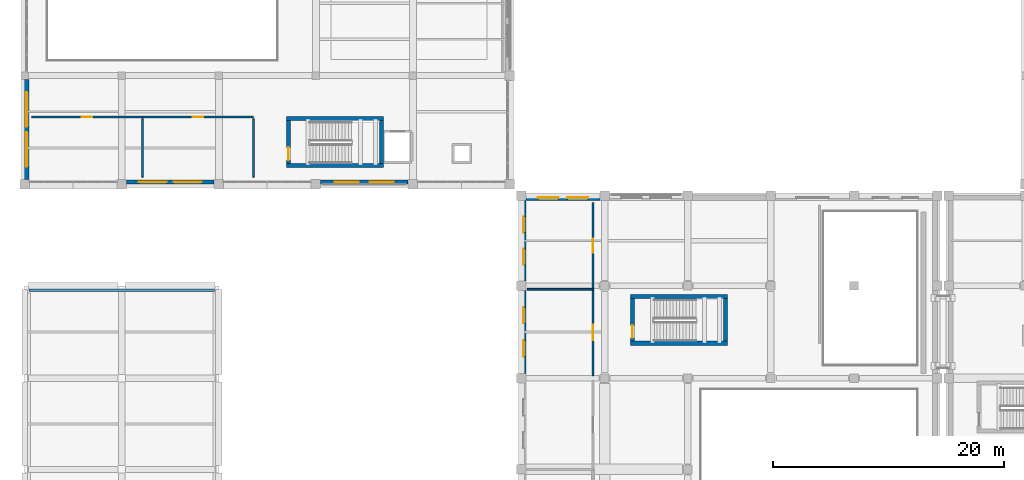
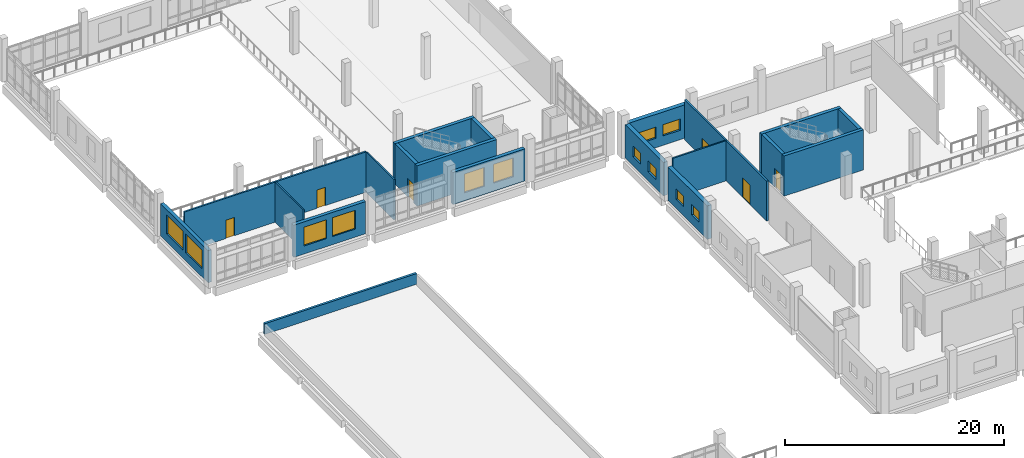
# One storey, part 53 of 73: 22 walls, 12 windows, 6 doors, 18 openings.
"""IFC4 building model written with IfcOpenShell, lengths in metres."""

from ifc_helpers import new_model, si_unit, direction, frame, frame_2d, origin, place, context, subcontext, project, spatial, rectangle, extrude, material, layer, layer_set, type_object, element, fill, save


model = new_model("IFC4")

# Units and contexts
model_context = context("Model", 3, precision=1e-05, world=origin(), true_north=direction((0.0, 1.0)))
body_context = subcontext(model_context, "Body", "Model", "MODEL_VIEW")
ifc_project = project(units=[si_unit("LENGTHUNIT", "METRE"), si_unit("AREAUNIT", "SQUARE_METRE"), si_unit("VOLUMEUNIT", "CUBIC_METRE"), si_unit("PLANEANGLEUNIT", "RADIAN"), si_unit("MASSUNIT", "GRAM", prefix="KILO")], contexts=[model_context])

# Site, building, storey
site_placement = place(None, origin())
site = spatial("IfcSite", under=ifc_project, at=site_placement, CompositionType="ELEMENT")
building_placement = place(site_placement, origin())
building = spatial("IfcBuilding", under=site, at=building_placement, Name="Kelarvand Opera House", CompositionType="ELEMENT")
storey_placement = place(building_placement, frame((0.0, 0.0, 10.199951171875)))
storey = spatial("IfcBuildingStorey", under=building, at=storey_placement, Name="L02", CompositionType="ELEMENT", Elevation=10.199951171875)

# Walls
ifc_material_1 = material(Name="Acoustic double-stud gypsum partition")
ifc_layer_1 = layer(ifc_material_1, 0.14990234375, Name="Acoustic double-stud gypsum partition")
ifc_layer_set_1 = layer_set([ifc_layer_1], Name="Acoustic double-stud gypsum partition")
wall_type_1 = type_object("IfcWallType", Name="Acoustic Room Partition Wall 150", PredefinedType="PARTITIONING", material=ifc_layer_set_1)
wall_1_placement = place(storey_placement, frame((52.5, 78.10009765625, 0.0), z_axis=(0.0, 0.0, 1.0), x_axis=(1.0, 0.0, 0.0)))
element("IfcWall", 1, at=wall_1_placement, inside=storey, type_object=wall_type_1, Name="V2 L02 Partition Wall IW-150 (496)", PredefinedType="PARTITIONING", context=body_context, shape_type="SweptSolid", body=[
    extrude(rectangle(XDim=5.699951171875, YDim=0.14990234375, at=frame_2d((2.85009765625, 0.0))), origin(), (0.0, 0.0, 1.0), 4.47216796875),
])
for number, where, z_axis, x_axis, name in (
    (2, (19.199951171875, 87.800048828125, 0.0), (0.0, 0.0, 1.0), (0.0, 1.0, 0.0), "V3 L02 Partition Wall IW-150 (501)"),
    (3, (28.800048828125, 87.800048828125, 0.0), (0.0, 0.0, 1.0), (0.0, 1.0, 0.0), "V3 L02 Partition Wall IW-150 (502)"),
):
    element("IfcWall", number, at=place(storey_placement, frame(where, z_axis=z_axis, x_axis=x_axis)), inside=storey, type_object=wall_type_1, Name=name, PredefinedType="PARTITIONING", context=body_context, shape_type="SweptSolid", body=[
        extrude(rectangle(XDim=5.06005859375, YDim=0.14990234375, at=frame_2d((2.530029296875, 0.0))), origin(), (0.0, 0.0, 1.0), 4.491943359375),
    ])

# Wall, openings, windows
ifc_material_2 = material(Name="Concrete C35/45", Category="concrete")
ifc_layer_2 = layer(ifc_material_2, 0.360107421875, Name="Concrete C35/45", Category="concrete")
ifc_layer_set_2 = layer_set([ifc_layer_2], Name="Concrete C35/45")
wall_type_2 = type_object("IfcWallType", Name="Azarshahr Travertine Cavity Wall 360", PredefinedType="SOLIDWALL", material=ifc_layer_set_2)
wall_2_placement = place(storey_placement, frame((9.179931640625, 87.610107421875, 0.0), z_axis=(0.0, 0.0, 1.0), x_axis=(0.0, 1.0, 0.0)))
wall_2 = element("IfcWall", 4, at=wall_2_placement, inside=storey, type_object=wall_type_2, Name="V3 L02 Exterior Wall EW-360 (418)", PredefinedType="SOLIDWALL", context=body_context, shape_type="SweptSolid", body=[
    extrude(rectangle(XDim=8.664794921875, YDim=0.360107421875, at=frame_2d((4.33251953125, 0.0))), origin(), (0.0, 0.0, 1.0), 3.592041015625),
])
opening_1_placement = place(wall_2_placement, frame((1.10009765625, 0.0, 0.89990234375)))
opening_1 = element("IfcOpeningElement", 5, at=opening_1_placement, cuts=wall_2, Name="Opening WN-09", PredefinedType="OPENING", context=body_context, shape_type="SweptSolid", body=[
    extrude(rectangle(XDim=3.0, YDim=2.10009765625, at=frame_2d((1.5, 1.050048828125))), frame((0.0, 0.18994140625, 0.0), z_axis=(0.0, -1.0, 0.0), x_axis=(1.0, 0.0, 0.0)), (0.0, 0.0, 1.0), 0.380126953125),
])
opening_2_placement = place(wall_2_placement, frame((4.56591796875, 0.0, 0.89990234375)))
opening_2 = element("IfcOpeningElement", 6, at=opening_2_placement, cuts=wall_2, Name="Opening WN-09", PredefinedType="OPENING", context=body_context, shape_type="SweptSolid", body=[
    extrude(rectangle(XDim=3.0, YDim=2.10009765625, at=frame_2d((1.5, 1.050048828125))), frame((0.0, 0.18994140625, 0.0), z_axis=(0.0, -1.0, 0.0), x_axis=(1.0, 0.0, 0.0)), (0.0, 0.0, 1.0), 0.380126953125),
])
ifc_material_3 = material(Name="Thermally broken aluminium and low-E double glazing", Category="aluminium")
window_type_1 = type_object("IfcWindowType", Name="Recessed Aluminium Thermal Window 3000x2100 WN-09", PartitioningType="SINGLE_PANEL", PredefinedType="WINDOW", material=ifc_material_3)
window_1_placement = place(opening_1_placement, origin())
window_1 = element("IfcWindow", 7, at=window_1_placement, inside=storey, type_object=window_type_1, Name="V3 L02 Facade Window WN-09 (180)", OverallHeight=2.10009765625, OverallWidth=3.0, PartitioningType="SINGLE_PANEL", PredefinedType="WINDOW", context=body_context, shape_type="SweptSolid", body=[
    extrude(rectangle(XDim=3.0, YDim=2.10009765625, at=frame_2d((1.5, 1.050048828125))), frame((0.0, 0.030029296875, 0.0), z_axis=(0.0, -1.0, 0.0), x_axis=(1.0, 0.0, 0.0)), (0.0, 0.0, 1.0), 0.06005859375),
])
fill(opening_1, window_1)
window_2_placement = place(opening_2_placement, origin())
window_2 = element("IfcWindow", 8, at=window_2_placement, inside=storey, type_object=window_type_1, Name="V3 L02 Facade Window WN-09 (181)", OverallHeight=2.10009765625, OverallWidth=3.0, PartitioningType="SINGLE_PANEL", PredefinedType="WINDOW", context=body_context, shape_type="SweptSolid", body=[
    extrude(rectangle(XDim=3.0, YDim=2.10009765625, at=frame_2d((1.5, 1.050048828125))), frame((0.0, 0.030029296875, 0.0), z_axis=(0.0, -1.0, 0.0), x_axis=(1.0, 0.0, 0.0)), (0.0, 0.0, 1.0), 0.06005859375),
])
fill(opening_2, window_2)

wall_3_placement = place(storey_placement, frame((42.18994140625, 87.3798828125, 0.0), z_axis=(0.0, 0.0, 1.0), x_axis=(-1.0, 0.0, 0.0)))
wall_3 = element("IfcWall", 9, at=wall_3_placement, inside=storey, type_object=wall_type_2, Name="V3 L02 Exterior Wall EW-360 (420)", PredefinedType="SOLIDWALL", context=body_context, shape_type="SweptSolid", body=[
    extrude(rectangle(XDim=7.579833984375, YDim=0.360107421875, at=frame_2d((3.7900390625, 0.0))), origin(), (0.0, 0.0, 1.0), 3.592041015625),
])
opening_3_placement = place(wall_3_placement, frame((1.22412109375, 0.0, 0.89990234375)))
opening_3 = element("IfcOpeningElement", 10, at=opening_3_placement, cuts=wall_3, Name="Opening WN-06", PredefinedType="OPENING", context=body_context, shape_type="SweptSolid", body=[
    extrude(rectangle(XDim=2.10009765625, YDim=2.10009765625, at=frame_2d((1.050048828125, 1.050048828125))), frame((0.0, 0.18994140625, 0.0), z_axis=(0.0, -1.0, 0.0), x_axis=(1.0, 0.0, 0.0)), (0.0, 0.0, 1.0), 0.380126953125),
])
opening_4_placement = place(wall_3_placement, frame((4.256103515625, 0.0, 0.89990234375)))
opening_4 = element("IfcOpeningElement", 11, at=opening_4_placement, cuts=wall_3, Name="Opening WN-06", PredefinedType="OPENING", context=body_context, shape_type="SweptSolid", body=[
    extrude(rectangle(XDim=2.10009765625, YDim=2.10009765625, at=frame_2d((1.050048828125, 1.050048828125))), frame((0.0, 0.18994140625, 0.0), z_axis=(0.0, -1.0, 0.0), x_axis=(1.0, 0.0, 0.0)), (0.0, 0.0, 1.0), 0.380126953125),
])
window_type_2 = type_object("IfcWindowType", Name="Recessed Aluminium Thermal Window 2100x2100 WN-06", PartitioningType="SINGLE_PANEL", PredefinedType="WINDOW", material=ifc_material_3)
window_3_placement = place(opening_3_placement, origin())
window_3 = element("IfcWindow", 12, at=window_3_placement, inside=storey, type_object=window_type_2, Name="V3 L02 Facade Window WN-06 (184)", OverallHeight=2.10009765625, OverallWidth=2.10009765625, PartitioningType="SINGLE_PANEL", PredefinedType="WINDOW", context=body_context, shape_type="SweptSolid", body=[
    extrude(rectangle(XDim=2.10009765625, YDim=2.10009765625, at=frame_2d((1.050048828125, 1.050048828125))), frame((0.0, 0.030029296875, 0.0), z_axis=(0.0, -1.0, 0.0), x_axis=(1.0, 0.0, 0.0)), (0.0, 0.0, 1.0), 0.06005859375),
])
fill(opening_3, window_3)
window_4_placement = place(opening_4_placement, origin())
window_4 = element("IfcWindow", 13, at=window_4_placement, inside=storey, type_object=window_type_2, Name="V3 L02 Facade Window WN-06 (185)", OverallHeight=2.10009765625, OverallWidth=2.10009765625, PartitioningType="SINGLE_PANEL", PredefinedType="WINDOW", context=body_context, shape_type="SweptSolid", body=[
    extrude(rectangle(XDim=2.10009765625, YDim=2.10009765625, at=frame_2d((1.050048828125, 1.050048828125))), frame((0.0, 0.030029296875, 0.0), z_axis=(0.0, -1.0, 0.0), x_axis=(1.0, 0.0, 0.0)), (0.0, 0.0, 1.0), 0.06005859375),
])
fill(opening_4, window_4)

wall_4_placement = place(storey_placement, frame((25.389892578125, 87.3798828125, 0.0), z_axis=(0.0, 0.0, 1.0), x_axis=(-1.0, 0.0, 0.0)))
wall_4 = element("IfcWall", 14, at=wall_4_placement, inside=storey, type_object=wall_type_2, Name="V3 L02 Exterior Wall EW-360 (421)", PredefinedType="SOLIDWALL", context=body_context, shape_type="SweptSolid", body=[
    extrude(rectangle(XDim=7.579833984375, YDim=0.360107421875, at=frame_2d((3.7900390625, 0.0))), origin(), (0.0, 0.0, 1.0), 3.592041015625),
])
opening_5_placement = place(wall_4_placement, frame((1.073974609375, 0.0, 0.89990234375)))
opening_5 = element("IfcOpeningElement", 15, at=opening_5_placement, cuts=wall_4, Name="Opening WN-07", PredefinedType="OPENING", context=body_context, shape_type="SweptSolid", body=[
    extrude(rectangle(XDim=2.39990234375, YDim=2.10009765625, at=frame_2d((1.199951171875, 1.050048828125))), frame((0.0, 0.18994140625, 0.0), z_axis=(0.0, -1.0, 0.0), x_axis=(1.0, 0.0, 0.0)), (0.0, 0.0, 1.0), 0.380126953125),
])
opening_6_placement = place(wall_4_placement, frame((4.10595703125, 0.0, 0.89990234375)))
opening_6 = element("IfcOpeningElement", 16, at=opening_6_placement, cuts=wall_4, Name="Opening WN-07", PredefinedType="OPENING", context=body_context, shape_type="SweptSolid", body=[
    extrude(rectangle(XDim=2.39990234375, YDim=2.10009765625, at=frame_2d((1.199951171875, 1.050048828125))), frame((0.0, 0.18994140625, 0.0), z_axis=(0.0, -1.0, 0.0), x_axis=(1.0, 0.0, 0.0)), (0.0, 0.0, 1.0), 0.380126953125),
])
window_type_3 = type_object("IfcWindowType", Name="Recessed Aluminium Thermal Window 2400x2100 WN-07", PartitioningType="SINGLE_PANEL", PredefinedType="WINDOW", material=ifc_material_3)
window_5_placement = place(opening_5_placement, origin())
window_5 = element("IfcWindow", 17, at=window_5_placement, inside=storey, type_object=window_type_3, Name="V3 L02 Facade Window WN-07 (186)", OverallHeight=2.10009765625, OverallWidth=2.39990234375, PartitioningType="SINGLE_PANEL", PredefinedType="WINDOW", context=body_context, shape_type="SweptSolid", body=[
    extrude(rectangle(XDim=2.39990234375, YDim=2.10009765625, at=frame_2d((1.199951171875, 1.050048828125))), frame((0.0, 0.030029296875, 0.0), z_axis=(0.0, -1.0, 0.0), x_axis=(1.0, 0.0, 0.0)), (0.0, 0.0, 1.0), 0.06005859375),
])
fill(opening_5, window_5)
window_6_placement = place(opening_6_placement, origin())
window_6 = element("IfcWindow", 18, at=window_6_placement, inside=storey, type_object=window_type_3, Name="V3 L02 Facade Window WN-07 (187)", OverallHeight=2.10009765625, OverallWidth=2.39990234375, PartitioningType="SINGLE_PANEL", PredefinedType="WINDOW", context=body_context, shape_type="SweptSolid", body=[
    extrude(rectangle(XDim=2.39990234375, YDim=2.10009765625, at=frame_2d((1.199951171875, 1.050048828125))), frame((0.0, 0.030029296875, 0.0), z_axis=(0.0, -1.0, 0.0), x_axis=(1.0, 0.0, 0.0)), (0.0, 0.0, 1.0), 0.06005859375),
])
fill(opening_6, window_6)

# Walls
ifc_layer_3 = layer(ifc_material_2, 0.239990234375, Name="Concrete C35/45", Category="concrete")
ifc_layer_set_3 = layer_set([ifc_layer_3], Name="Concrete C35/45")
wall_type_3 = type_object("IfcWallType", Name="Capped Travertine Roof Parapet 240", PredefinedType="PARAPET", material=ifc_layer_set_3)
wall_5_placement = place(storey_placement, frame((25.419921875, 78.02001953125, 0.0), z_axis=(0.0, 0.0, 1.0), x_axis=(-1.0, 0.0, 0.0)))
element("IfcWall", 19, at=wall_5_placement, inside=storey, type_object=wall_type_3, Name="V4 Roof Parapet 26", PredefinedType="PARAPET", context=body_context, shape_type="SweptSolid", body=[
    extrude(rectangle(XDim=16.0400390625, YDim=0.239990234375, at=frame_2d((8.02001953125, 0.0))), origin(), (0.0, 0.0, 1.0), 1.199951171875),
])
ifc_material_4 = material(Name="Concrete C40/50", Category="concrete")
ifc_layer_4 = layer(ifc_material_4, 0.35009765625, Name="Concrete C40/50", Category="concrete")
ifc_layer_set_4 = layer_set([ifc_layer_4], Name="Concrete C40/50")
wall_type_4 = type_object("IfcWallType", Name="Core Stair and Lift Shear Wall 350", PredefinedType="SHEAR", material=ifc_layer_set_4)
for number, where, z_axis, x_axis, name in (
    (20, (61.449951171875, 73.425048828125, 0.0), (0.0, 0.0, 1.0), (1.0, 0.0, 0.0), "C3 Stair Core Shear Wall S L02"),
    (21, (69.85009765625, 77.47509765625, 0.0), (0.0, 0.0, 1.0), (-1.0, 0.0, 0.0), "C3 Stair Core Shear Wall N L02"),
):
    element("IfcWall", number, at=place(storey_placement, frame(where, z_axis=z_axis, x_axis=x_axis)), inside=storey, type_object=wall_type_4, Name=name, PredefinedType="SHEAR", context=body_context, shape_type="SweptSolid", body=[
        extrude(rectangle(XDim=8.400146484375, YDim=0.35009765625, at=frame_2d((4.2001953125, 0.0))), origin(), (0.0, 0.0, 1.0), 4.47998046875),
    ])

# Wall, opening, door
wall_6_placement = place(storey_placement, frame((61.625, 73.60009765625, 0.0), z_axis=(0.0, 0.0, 1.0), x_axis=(0.0, 1.0, 0.0)))
wall_6 = element("IfcWall", 22, at=wall_6_placement, inside=storey, type_object=wall_type_4, Name="C3 Stair Core Shear Wall W L02", PredefinedType="SHEAR", context=body_context, shape_type="SweptSolid", body=[
    extrude(rectangle(XDim=3.699951171875, YDim=0.35009765625, at=frame_2d((1.85009765625, 0.0))), origin(), (0.0, 0.0, 1.0), 4.47998046875),
])
opening_7_placement = place(wall_6_placement, frame((0.280029296875, 0.0, 0.0)))
opening_7 = element("IfcOpeningElement", 23, at=opening_7_placement, cuts=wall_6, Name="Opening FD-01", PredefinedType="OPENING", context=body_context, shape_type="SweptSolid", body=[
    extrude(rectangle(XDim=1.10009765625, YDim=2.080078125, at=frame_2d((0.550048828125, 1.0400390625))), frame((0.0, 0.18505859375, 0.0), z_axis=(0.0, -1.0, 0.0), x_axis=(1.0, 0.0, 0.0)), (0.0, 0.0, 1.0), 0.3701171875),
])
ifc_material_5 = material(Name="Fire-rated brushed stainless steel", Category="steel")
door_type_1 = type_object("IfcDoorType", Name="Steel Fire-Rated Stair and FF Lobby Door 1100x2080", OperationType="NOTDEFINED", PredefinedType="DOOR", material=ifc_material_5)
door_1_placement = place(opening_7_placement, origin())
door_1 = element("IfcDoor", 24, at=door_1_placement, inside=storey, type_object=door_type_1, Name="C3 Stair ST-03 Fire Door L02", OperationType="SINGLE_SWING_RIGHT", OverallHeight=2.080078125, OverallWidth=1.10009765625, PredefinedType="DOOR", context=body_context, shape_type="SweptSolid", body=[
    extrude(rectangle(XDim=1.10009765625, YDim=2.080078125, at=frame_2d((0.550048828125, 1.0400390625))), frame((0.0, 0.02490234375, 0.0), z_axis=(0.0, -1.0, 0.0), x_axis=(1.0, 0.0, 0.0)), (0.0, 0.0, 1.0), 0.050048828125),
])
fill(opening_7, door_1)

# Walls
wall_7_placement = place(storey_placement, frame((69.675048828125, 77.300048828125, 0.0), z_axis=(0.0, 0.0, 1.0), x_axis=(0.0, -1.0, 0.0)))
element("IfcWall", 25, at=wall_7_placement, inside=storey, type_object=wall_type_4, Name="C3 Stair Core Shear Wall E L02", PredefinedType="SHEAR", context=body_context, shape_type="SweptSolid", body=[
    extrude(rectangle(XDim=3.699951171875, YDim=0.35009765625, at=frame_2d((1.85009765625, 0.0))), origin(), (0.0, 0.0, 1.0), 4.47998046875),
])
for number, where, z_axis, x_axis, name in (
    (26, (31.64990234375, 88.824951171875, 0.0), (0.0, 0.0, 1.0), (1.0, 0.0, 0.0), "C5 Stair Core Shear Wall S L02"),
    (27, (40.050048828125, 92.875, 0.0), (0.0, 0.0, 1.0), (-1.0, 0.0, 0.0), "C5 Stair Core Shear Wall N L02"),
):
    element("IfcWall", number, at=place(storey_placement, frame(where, z_axis=z_axis, x_axis=x_axis)), inside=storey, type_object=wall_type_4, Name=name, PredefinedType="SHEAR", context=body_context, shape_type="SweptSolid", body=[
        extrude(rectangle(XDim=8.400146484375, YDim=0.35009765625, at=frame_2d((4.2001953125, 0.0))), origin(), (0.0, 0.0, 1.0), 4.5),
    ])

# Wall, opening, door
wall_8_placement = place(storey_placement, frame((31.824951171875, 89.0, 0.0), z_axis=(0.0, 0.0, 1.0), x_axis=(0.0, 1.0, 0.0)))
wall_8 = element("IfcWall", 28, at=wall_8_placement, inside=storey, type_object=wall_type_4, Name="C5 Stair Core Shear Wall W L02", PredefinedType="SHEAR", context=body_context, shape_type="SweptSolid", body=[
    extrude(rectangle(XDim=3.699951171875, YDim=0.35009765625, at=frame_2d((1.85009765625, 0.0))), origin(), (0.0, 0.0, 1.0), 4.5),
])
opening_8_placement = place(wall_8_placement, frame((0.280029296875, 0.0, 0.0)))
opening_8 = element("IfcOpeningElement", 29, at=opening_8_placement, cuts=wall_8, Name="Opening FD-01", PredefinedType="OPENING", context=body_context, shape_type="SweptSolid", body=[
    extrude(rectangle(XDim=1.10009765625, YDim=2.080078125, at=frame_2d((0.550048828125, 1.0400390625))), frame((0.0, 0.18505859375, 0.0), z_axis=(0.0, -1.0, 0.0), x_axis=(1.0, 0.0, 0.0)), (0.0, 0.0, 1.0), 0.3701171875),
])
door_2_placement = place(opening_8_placement, origin())
door_2 = element("IfcDoor", 30, at=door_2_placement, inside=storey, type_object=door_type_1, Name="C5 Stair ST-05 Fire Door L02", OperationType="SINGLE_SWING_RIGHT", OverallHeight=2.080078125, OverallWidth=1.10009765625, PredefinedType="DOOR", context=body_context, shape_type="SweptSolid", body=[
    extrude(rectangle(XDim=1.10009765625, YDim=2.080078125, at=frame_2d((0.550048828125, 1.0400390625))), frame((0.0, 0.02490234375, 0.0), z_axis=(0.0, -1.0, 0.0), x_axis=(1.0, 0.0, 0.0)), (0.0, 0.0, 1.0), 0.050048828125),
])
fill(opening_8, door_2)

# Wall
wall_9_placement = place(storey_placement, frame((39.875, 92.699951171875, 0.0), z_axis=(0.0, 0.0, 1.0), x_axis=(0.0, -1.0, 0.0)))
element("IfcWall", 31, at=wall_9_placement, inside=storey, type_object=wall_type_4, Name="C5 Stair Core Shear Wall E L02", PredefinedType="SHEAR", context=body_context, shape_type="SweptSolid", body=[
    extrude(rectangle(XDim=3.699951171875, YDim=0.35009765625, at=frame_2d((1.85009765625, 0.0))), origin(), (0.0, 0.0, 1.0), 4.5),
])

# Wall, opening, door
ifc_layer_5 = layer(ifc_material_2, 0.179931640625, Name="Concrete C35/45", Category="concrete")
ifc_layer_set_5 = layer_set([ifc_layer_5], Name="Concrete C35/45")
wall_type_5 = type_object("IfcWallType", Name="Corridor Fire-Rated Partition Wall 180 EI90", PredefinedType="PARTITIONING", material=ifc_layer_set_5)
wall_10_placement = place(storey_placement, frame((58.199951171875, 70.60009765625, 0.0), z_axis=(0.0, 0.0, 1.0), x_axis=(0.0, 1.0, 0.0)))
wall_10 = element("IfcWall", 32, at=wall_10_placement, inside=storey, type_object=wall_type_5, Name="V2 L02 Partition Wall IW-90 (495)", PredefinedType="PARTITIONING", context=body_context, shape_type="SweptSolid", body=[
    extrude(rectangle(XDim=7.5, YDim=0.179931640625, at=frame_2d((3.75, 0.0))), origin(), (0.0, 0.0, 1.0), 4.47216796875),
])
opening_9_placement = place(wall_10_placement, frame((3.074951171875, 0.0, 0.0)))
opening_9 = element("IfcOpeningElement", 33, at=opening_9_placement, cuts=wall_10, Name="Opening D-12", PredefinedType="OPENING", context=body_context, shape_type="SweptSolid", body=[
    extrude(rectangle(XDim=1.35009765625, YDim=2.159912109375, at=frame_2d((0.675048828125, 1.080078125))), frame((0.0, 0.10009765625, 0.0), z_axis=(0.0, -1.0, 0.0), x_axis=(1.0, 0.0, 0.0)), (0.0, 0.0, 1.0), 0.199951171875),
])
ifc_material_6 = material(Name="Acoustic walnut-veneered hardwood", Category="wood")
door_type_2 = type_object("IfcDoorType", Name="Wardrobe Studio Leaf-and-Half Door 1350x2160", OperationType="NOTDEFINED", PredefinedType="DOOR", material=ifc_material_6)
door_3_placement = place(opening_9_placement, origin())
door_3 = element("IfcDoor", 34, at=door_3_placement, inside=storey, type_object=door_type_2, Name="V2 L02 Door D-12 (219)", OperationType="SINGLE_SWING_RIGHT", OverallHeight=2.159912109375, OverallWidth=1.35009765625, PredefinedType="DOOR", context=body_context, shape_type="SweptSolid", body=[
    extrude(rectangle(XDim=1.35009765625, YDim=2.159912109375, at=frame_2d((0.675048828125, 1.080078125))), frame((0.0, 0.02490234375, 0.0), z_axis=(0.0, -1.0, 0.0), x_axis=(1.0, 0.0, 0.0)), (0.0, 0.0, 1.0), 0.050048828125),
])
fill(opening_9, door_3)

wall_11_placement = place(storey_placement, frame((58.199951171875, 78.10009765625, 0.0), z_axis=(0.0, 0.0, 1.0), x_axis=(0.0, 1.0, 0.0)))
wall_11 = element("IfcWall", 35, at=wall_11_placement, inside=storey, type_object=wall_type_5, Name="V2 L02 Partition Wall IW-90 (497)", PredefinedType="PARTITIONING", context=body_context, shape_type="SweptSolid", body=[
    extrude(rectangle(XDim=7.5, YDim=0.179931640625, at=frame_2d((3.75, 0.0))), origin(), (0.0, 0.0, 1.0), 4.47216796875),
])
opening_10_placement = place(wall_11_placement, frame((3.14990234375, 0.0, 0.0)))
opening_10 = element("IfcOpeningElement", 36, at=opening_10_placement, cuts=wall_11, Name="Opening D-06", PredefinedType="OPENING", context=body_context, shape_type="SweptSolid", body=[
    extrude(rectangle(XDim=1.199951171875, YDim=2.10009765625, at=frame_2d((0.60009765625, 1.050048828125))), frame((0.0, 0.10009765625, 0.0), z_axis=(0.0, -1.0, 0.0), x_axis=(1.0, 0.0, 0.0)), (0.0, 0.0, 1.0), 0.199951171875),
])
door_type_3 = type_object("IfcDoorType", Name="Accessible Suite Timber Door 1200x2100", OperationType="NOTDEFINED", PredefinedType="DOOR", material=ifc_material_6)
door_4_placement = place(opening_10_placement, origin())
door_4 = element("IfcDoor", 37, at=door_4_placement, inside=storey, type_object=door_type_3, Name="V2 L02 Door D-06 (220)", OperationType="SINGLE_SWING_LEFT", OverallHeight=2.10009765625, OverallWidth=1.199951171875, PredefinedType="DOOR", context=body_context, shape_type="SweptSolid", body=[
    extrude(rectangle(XDim=1.199951171875, YDim=2.10009765625, at=frame_2d((0.60009765625, 1.050048828125))), frame((0.0, 0.02490234375, 0.0), z_axis=(0.0, -1.0, 0.0), x_axis=(1.0, 0.0, 0.0)), (0.0, 0.0, 1.0), 0.050048828125),
])
fill(opening_10, door_4)

wall_12_placement = place(storey_placement, frame((9.60009765625, 93.0, 0.0), z_axis=(0.0, 0.0, 1.0), x_axis=(1.0, 0.0, 0.0)))
wall_12 = element("IfcWall", 38, at=wall_12_placement, inside=storey, type_object=wall_type_5, Name="V3 L02 Partition Wall IW-90 (500)", PredefinedType="PARTITIONING", context=body_context, shape_type="SweptSolid", body=[
    extrude(rectangle(XDim=9.599853515625, YDim=0.179931640625, at=frame_2d((4.7998046875, 0.0))), origin(), (0.0, 0.0, 1.0), 4.491943359375),
])
opening_11_placement = place(wall_12_placement, frame((4.340087890625, 0.0, 0.0)))
opening_11 = element("IfcOpeningElement", 39, at=opening_11_placement, cuts=wall_12, Name="Opening D-01", PredefinedType="OPENING", context=body_context, shape_type="SweptSolid", body=[
    extrude(rectangle(XDim=0.919921875, YDim=2.050048828125, at=frame_2d((0.4599609375, 1.02490234375))), frame((0.0, 0.10009765625, 0.0), z_axis=(0.0, -1.0, 0.0), x_axis=(1.0, 0.0, 0.0)), (0.0, 0.0, 1.0), 0.199951171875),
])
door_type_4 = type_object("IfcDoorType", Name="Solid Timber Dressing and WC Door 920x2050", OperationType="NOTDEFINED", PredefinedType="DOOR", material=ifc_material_6)
door_5_placement = place(opening_11_placement, origin())
door_5 = element("IfcDoor", 40, at=door_5_placement, inside=storey, type_object=door_type_4, Name="V3 L02 Door D-01 (222)", OperationType="SINGLE_SWING_RIGHT", OverallHeight=2.050048828125, OverallWidth=0.919921875, PredefinedType="DOOR", context=body_context, shape_type="SweptSolid", body=[
    extrude(rectangle(XDim=0.919921875, YDim=2.050048828125, at=frame_2d((0.4599609375, 1.02490234375))), frame((0.0, 0.02490234375, 0.0), z_axis=(0.0, -1.0, 0.0), x_axis=(1.0, 0.0, 0.0)), (0.0, 0.0, 1.0), 0.050048828125),
])
fill(opening_11, door_5)

wall_13_placement = place(storey_placement, frame((19.199951171875, 93.0, 0.0), z_axis=(0.0, 0.0, 1.0), x_axis=(1.0, 0.0, 0.0)))
wall_13 = element("IfcWall", 41, at=wall_13_placement, inside=storey, type_object=wall_type_5, Name="V3 L02 Partition Wall IW-90 (503)", PredefinedType="PARTITIONING", context=body_context, shape_type="SweptSolid", body=[
    extrude(rectangle(XDim=9.60009765625, YDim=0.179931640625, at=frame_2d((4.800048828125, 0.0))), origin(), (0.0, 0.0, 1.0), 4.491943359375),
])
opening_12_placement = place(wall_13_placement, frame((4.340087890625, 0.0, 0.0)))
opening_12 = element("IfcOpeningElement", 42, at=opening_12_placement, cuts=wall_13, Name="Opening D-01", PredefinedType="OPENING", context=body_context, shape_type="SweptSolid", body=[
    extrude(rectangle(XDim=0.919921875, YDim=2.050048828125, at=frame_2d((0.4599609375, 1.02490234375))), frame((0.0, 0.10009765625, 0.0), z_axis=(0.0, -1.0, 0.0), x_axis=(1.0, 0.0, 0.0)), (0.0, 0.0, 1.0), 0.199951171875),
])
door_6_placement = place(opening_12_placement, origin())
door_6 = element("IfcDoor", 43, at=door_6_placement, inside=storey, type_object=door_type_4, Name="V3 L02 Door D-01 (223)", OperationType="SINGLE_SWING_LEFT", OverallHeight=2.050048828125, OverallWidth=0.919921875, PredefinedType="DOOR", context=body_context, shape_type="SweptSolid", body=[
    extrude(rectangle(XDim=0.919921875, YDim=2.050048828125, at=frame_2d((0.4599609375, 1.02490234375))), frame((0.0, 0.02490234375, 0.0), z_axis=(0.0, -1.0, 0.0), x_axis=(1.0, 0.0, 0.0)), (0.0, 0.0, 1.0), 0.050048828125),
])
fill(opening_12, door_6)

# Wall, openings, windows
ifc_layer_6 = layer(ifc_material_2, 0.43994140625, Name="Concrete C35/45", Category="concrete")
ifc_layer_set_6 = layer_set([ifc_layer_6], Name="Concrete C35/45")
wall_type_6 = type_object("IfcWallType", Name="Stage House Acoustic Cavity Wall 440", PredefinedType="SOLIDWALL", material=ifc_layer_set_6)
wall_14_placement = place(storey_placement, frame((52.409912109375, 86.02001953125, 0.0), z_axis=(0.0, 0.0, 1.0), x_axis=(1.0, 0.0, 0.0)))
wall_14 = element("IfcWall", 44, at=wall_14_placement, inside=storey, type_object=wall_type_6, Name="V2 L02 Exterior Wall EW-440 (264)", PredefinedType="SOLIDWALL", context=body_context, shape_type="SweptSolid", body=[
    extrude(rectangle(XDim=6.380126953125, YDim=0.43994140625, at=frame_2d((3.18994140625, 0.0))), origin(), (0.0, 0.0, 1.0), 3.72216796875),
])
opening_13_placement = place(wall_14_placement, frame((1.013916015625, 0.0, 1.050048828125)))
opening_13 = element("IfcOpeningElement", 45, at=opening_13_placement, cuts=wall_14, Name="Opening WN-23", PredefinedType="OPENING", context=body_context, shape_type="SweptSolid", body=[
    extrude(rectangle(XDim=1.800048828125, YDim=1.25, at=frame_2d((0.89990234375, 0.625))), frame((0.0, 0.22998046875, 0.0), z_axis=(0.0, -1.0, 0.0), x_axis=(1.0, 0.0, 0.0)), (0.0, 0.0, 1.0), 0.4599609375),
])
opening_14_placement = place(wall_14_placement, frame((3.56591796875, 0.0, 1.050048828125)))
opening_14 = element("IfcOpeningElement", 46, at=opening_14_placement, cuts=wall_14, Name="Opening WN-23", PredefinedType="OPENING", context=body_context, shape_type="SweptSolid", body=[
    extrude(rectangle(XDim=1.800048828125, YDim=1.25, at=frame_2d((0.89990234375, 0.625))), frame((0.0, 0.22998046875, 0.0), z_axis=(0.0, -1.0, 0.0), x_axis=(1.0, 0.0, 0.0)), (0.0, 0.0, 1.0), 0.4599609375),
])
window_type_4 = type_object("IfcWindowType", Name="Recessed Aluminium Thermal Window 1800x1250 WN-23", PartitioningType="SINGLE_PANEL", PredefinedType="WINDOW", material=ifc_material_3)
window_7_placement = place(opening_13_placement, origin())
window_7 = element("IfcWindow", 47, at=window_7_placement, inside=storey, type_object=window_type_4, Name="V2 L02 Facade Window WN-23 (38)", OverallHeight=1.25, OverallWidth=1.800048828125, PartitioningType="SINGLE_PANEL", PredefinedType="WINDOW", context=body_context, shape_type="SweptSolid", body=[
    extrude(rectangle(XDim=1.800048828125, YDim=1.25, at=frame_2d((0.89990234375, 0.625))), frame((0.0, 0.030029296875, 0.0), z_axis=(0.0, -1.0, 0.0), x_axis=(1.0, 0.0, 0.0)), (0.0, 0.0, 1.0), 0.06005859375),
])
fill(opening_13, window_7)
window_8_placement = place(opening_14_placement, origin())
window_8 = element("IfcWindow", 48, at=window_8_placement, inside=storey, type_object=window_type_4, Name="V2 L02 Facade Window WN-23 (39)", OverallHeight=1.25, OverallWidth=1.800048828125, PartitioningType="SINGLE_PANEL", PredefinedType="WINDOW", context=body_context, shape_type="SweptSolid", body=[
    extrude(rectangle(XDim=1.800048828125, YDim=1.25, at=frame_2d((0.89990234375, 0.625))), frame((0.0, 0.030029296875, 0.0), z_axis=(0.0, -1.0, 0.0), x_axis=(1.0, 0.0, 0.0)), (0.0, 0.0, 1.0), 0.06005859375),
])
fill(opening_14, window_8)

wall_15_placement = place(storey_placement, frame((52.179931640625, 70.81005859375, 0.0), z_axis=(0.0, 0.0, 1.0), x_axis=(0.0, 1.0, 0.0)))
wall_15 = element("IfcWall", 49, at=wall_15_placement, inside=storey, type_object=wall_type_6, Name="V2 L02 Exterior Wall EW-440 (273)", PredefinedType="SOLIDWALL", context=body_context, shape_type="SweptSolid", body=[
    extrude(rectangle(XDim=7.179931640625, YDim=0.43994140625, at=frame_2d((3.58984375, 0.0))), origin(), (0.0, 0.0, 1.0), 3.72216796875),
])
opening_15_placement = place(wall_15_placement, frame((1.4541015625, 0.0, 1.0)))
opening_15 = element("IfcOpeningElement", 50, at=opening_15_placement, cuts=wall_15, Name="Opening WN-24", PredefinedType="OPENING", context=body_context, shape_type="SweptSolid", body=[
    extrude(rectangle(XDim=1.39990234375, YDim=1.199951171875, at=frame_2d((0.699951171875, 0.60009765625))), frame((0.0, 0.22998046875, 0.0), z_axis=(0.0, -1.0, 0.0), x_axis=(1.0, 0.0, 0.0)), (0.0, 0.0, 1.0), 0.4599609375),
])
opening_16_placement = place(wall_15_placement, frame((4.325927734375, 0.0, 1.0)))
opening_16 = element("IfcOpeningElement", 51, at=opening_16_placement, cuts=wall_15, Name="Opening WN-24", PredefinedType="OPENING", context=body_context, shape_type="SweptSolid", body=[
    extrude(rectangle(XDim=1.39990234375, YDim=1.199951171875, at=frame_2d((0.699951171875, 0.60009765625))), frame((0.0, 0.22998046875, 0.0), z_axis=(0.0, -1.0, 0.0), x_axis=(1.0, 0.0, 0.0)), (0.0, 0.0, 1.0), 0.4599609375),
])
window_type_5 = type_object("IfcWindowType", Name="Recessed Aluminium Thermal Window 1400x1200 WN-24", PartitioningType="SINGLE_PANEL", PredefinedType="WINDOW", material=ifc_material_3)
window_9_placement = place(opening_15_placement, origin())
window_9 = element("IfcWindow", 52, at=window_9_placement, inside=storey, type_object=window_type_5, Name="V2 L02 Facade Window WN-24 (53)", OverallHeight=1.199951171875, OverallWidth=1.39990234375, PartitioningType="SINGLE_PANEL", PredefinedType="WINDOW", context=body_context, shape_type="SweptSolid", body=[
    extrude(rectangle(XDim=1.39990234375, YDim=1.199951171875, at=frame_2d((0.699951171875, 0.60009765625))), frame((0.0, 0.030029296875, 0.0), z_axis=(0.0, -1.0, 0.0), x_axis=(1.0, 0.0, 0.0)), (0.0, 0.0, 1.0), 0.06005859375),
])
fill(opening_15, window_9)
window_10_placement = place(opening_16_placement, origin())
window_10 = element("IfcWindow", 53, at=window_10_placement, inside=storey, type_object=window_type_5, Name="V2 L02 Facade Window WN-24 (54)", OverallHeight=1.199951171875, OverallWidth=1.39990234375, PartitioningType="SINGLE_PANEL", PredefinedType="WINDOW", context=body_context, shape_type="SweptSolid", body=[
    extrude(rectangle(XDim=1.39990234375, YDim=1.199951171875, at=frame_2d((0.699951171875, 0.60009765625))), frame((0.0, 0.030029296875, 0.0), z_axis=(0.0, -1.0, 0.0), x_axis=(1.0, 0.0, 0.0)), (0.0, 0.0, 1.0), 0.06005859375),
])
fill(opening_16, window_10)

wall_16_placement = place(storey_placement, frame((52.179931640625, 78.81005859375, 0.0), z_axis=(0.0, 0.0, 1.0), x_axis=(0.0, 1.0, 0.0)))
wall_16 = element("IfcWall", 54, at=wall_16_placement, inside=storey, type_object=wall_type_6, Name="V2 L02 Exterior Wall EW-440 (274)", PredefinedType="SOLIDWALL", context=body_context, shape_type="SweptSolid", body=[
    extrude(rectangle(XDim=6.97998046875, YDim=0.43994140625, at=frame_2d((3.489990234375, 0.0))), origin(), (0.0, 0.0, 1.0), 3.72216796875),
])
opening_17_placement = place(wall_16_placement, frame((1.39404296875, 0.0, 1.0)))
opening_17 = element("IfcOpeningElement", 55, at=opening_17_placement, cuts=wall_16, Name="Opening WN-24", PredefinedType="OPENING", context=body_context, shape_type="SweptSolid", body=[
    extrude(rectangle(XDim=1.39990234375, YDim=1.199951171875, at=frame_2d((0.699951171875, 0.60009765625))), frame((0.0, 0.22998046875, 0.0), z_axis=(0.0, -1.0, 0.0), x_axis=(1.0, 0.0, 0.0)), (0.0, 0.0, 1.0), 0.4599609375),
])
opening_18_placement = place(wall_16_placement, frame((4.18603515625, 0.0, 1.0)))
opening_18 = element("IfcOpeningElement", 56, at=opening_18_placement, cuts=wall_16, Name="Opening WN-24", PredefinedType="OPENING", context=body_context, shape_type="SweptSolid", body=[
    extrude(rectangle(XDim=1.39990234375, YDim=1.199951171875, at=frame_2d((0.699951171875, 0.60009765625))), frame((0.0, 0.22998046875, 0.0), z_axis=(0.0, -1.0, 0.0), x_axis=(1.0, 0.0, 0.0)), (0.0, 0.0, 1.0), 0.4599609375),
])
window_11_placement = place(opening_17_placement, origin())
window_11 = element("IfcWindow", 57, at=window_11_placement, inside=storey, type_object=window_type_5, Name="V2 L02 Facade Window WN-24 (55)", OverallHeight=1.199951171875, OverallWidth=1.39990234375, PartitioningType="SINGLE_PANEL", PredefinedType="WINDOW", context=body_context, shape_type="SweptSolid", body=[
    extrude(rectangle(XDim=1.39990234375, YDim=1.199951171875, at=frame_2d((0.699951171875, 0.60009765625))), frame((0.0, 0.030029296875, 0.0), z_axis=(0.0, -1.0, 0.0), x_axis=(1.0, 0.0, 0.0)), (0.0, 0.0, 1.0), 0.06005859375),
])
fill(opening_17, window_11)
window_12_placement = place(opening_18_placement, origin())
window_12 = element("IfcWindow", 58, at=window_12_placement, inside=storey, type_object=window_type_5, Name="V2 L02 Facade Window WN-24 (56)", OverallHeight=1.199951171875, OverallWidth=1.39990234375, PartitioningType="SINGLE_PANEL", PredefinedType="WINDOW", context=body_context, shape_type="SweptSolid", body=[
    extrude(rectangle(XDim=1.39990234375, YDim=1.199951171875, at=frame_2d((0.699951171875, 0.60009765625))), frame((0.0, 0.030029296875, 0.0), z_axis=(0.0, -1.0, 0.0), x_axis=(1.0, 0.0, 0.0)), (0.0, 0.0, 1.0), 0.06005859375),
])
fill(opening_18, window_12)

save(model, "model.ifc")
